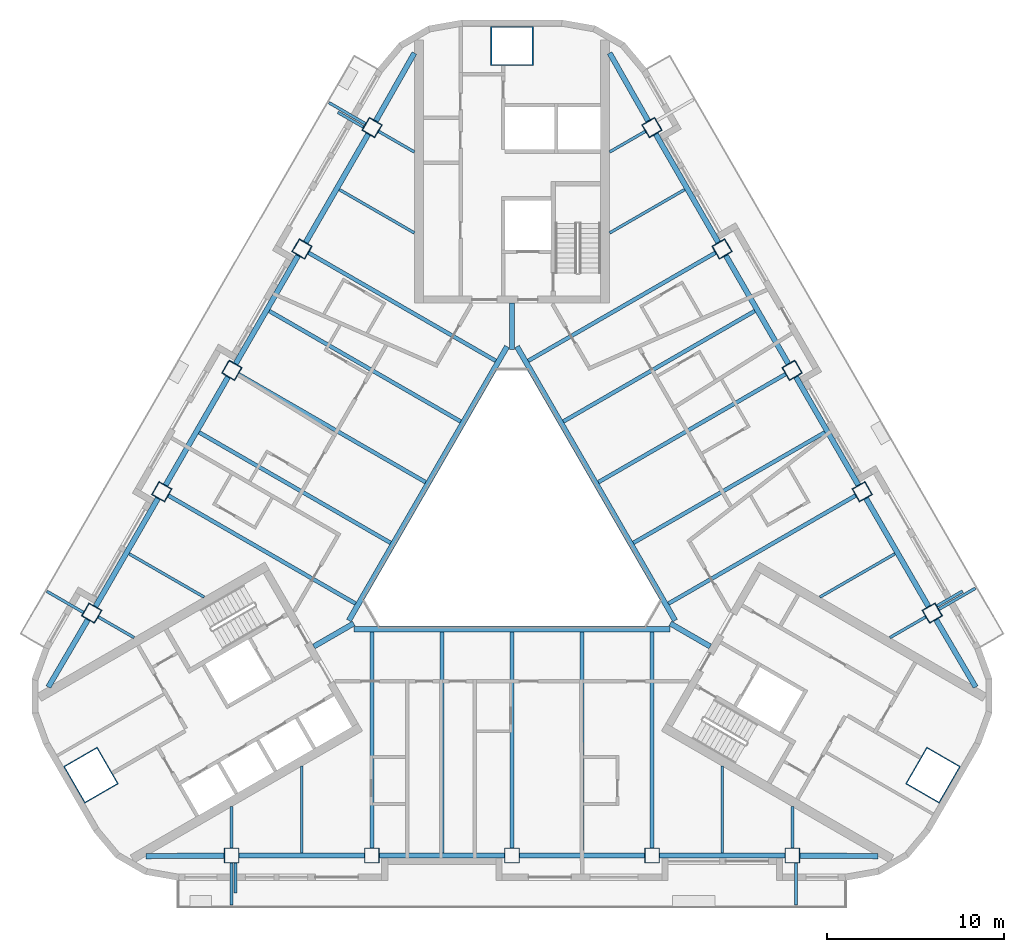
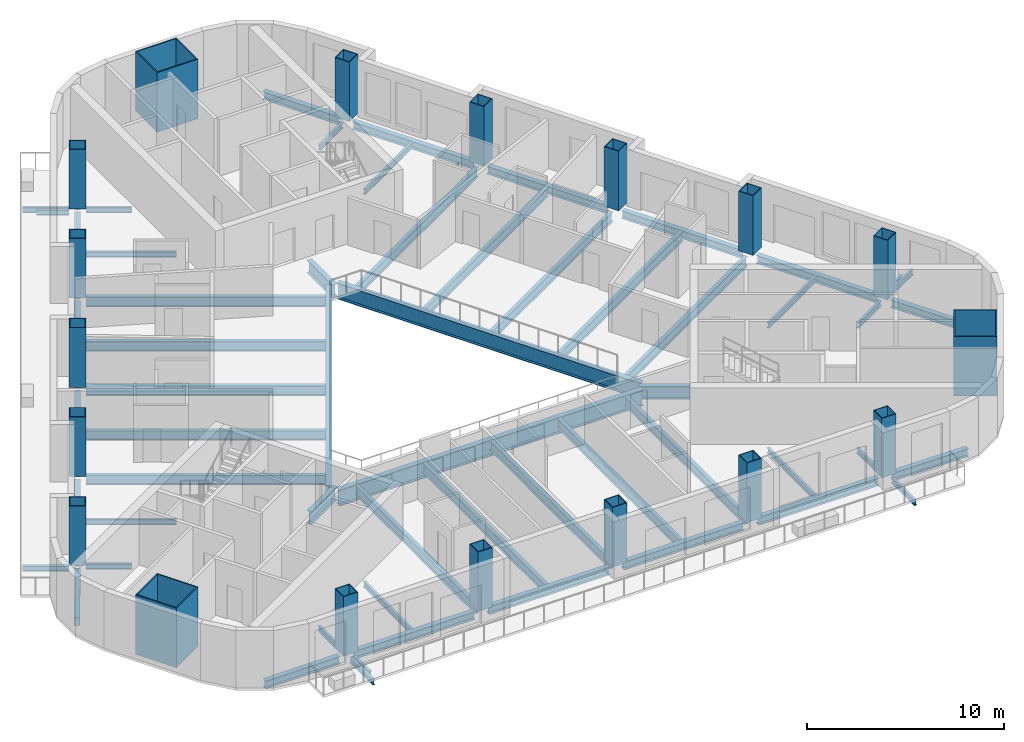
# One storey, part 1 of 14: 59 beams, 18 columns.
"""IFC4 building model written with IfcOpenShell, lengths in metres."""

from ifc_helpers import new_model, si_unit, direction, frame, origin, origin_2d, place, context, subcontext, project, spatial, rectangle, hollow_rectangle, i_section, extrude, material, material_profile, profile_set, type_object, element, save


model = new_model("IFC4")

# Units and contexts
model_context = context("Model", 3, precision=1e-05, world=origin(), true_north=direction((0.0, 1.0)))
body_context = subcontext(model_context, "Body", "Model", "MODEL_VIEW")
ifc_project = project(units=[si_unit("LENGTHUNIT", "METRE"), si_unit("AREAUNIT", "SQUARE_METRE"), si_unit("VOLUMEUNIT", "CUBIC_METRE"), si_unit("PLANEANGLEUNIT", "RADIAN"), si_unit("MASSUNIT", "GRAM", prefix="KILO")], contexts=[model_context])

# Site, building, storey
site_placement = place(None, origin())
site = spatial("IfcSite", under=ifc_project, at=site_placement, CompositionType="ELEMENT")
building_placement = place(site_placement, origin())
building = spatial("IfcBuilding", under=site, at=building_placement, Name="Apuvela Tower Hotel", CompositionType="ELEMENT")
storey_placement = place(building_placement, frame((0.0, 0.0, 179.89990234375)))
storey = spatial("IfcBuildingStorey", under=building, at=storey_placement, Name="L43", CompositionType="ELEMENT", Elevation=179.89990234375)

# Columns
ifc_material_1 = material(Name="Steel S460", Category="steel")
ifc_material_profile_1 = material_profile(ifc_material_1, hollow_rectangle(XDim=2.39990234375, YDim=2.199951171875, WallThickness=0.06005859375, at=origin_2d()), Name="BOX 2400x2200x60")
ifc_material_2 = material(Name="Concrete C80/95", Category="concrete")
ifc_material_profile_2 = material_profile(ifc_material_2, rectangle(XDim=2.280029296875, YDim=2.080078125, at=origin_2d()), Name="Concrete C80/95 infill")
ifc_profile_set_1 = profile_set([ifc_material_profile_1, ifc_material_profile_2], Name="Steel S460")
column_type_1 = type_object("IfcColumnType", Name="STR-MC mega column BOX 2400x2200x60", PredefinedType="COLUMN", material=ifc_profile_set_1)
for number, where, z_axis, x_axis, name in (
    (1, (0.0, 27.39990234375, 0.0), (0.0, 0.0, 1.0), (1.0, 0.0, 0.0), "Mega column MC3 N"),
    (2, (-23.72900390625, -13.699951171875, 0.0), (0.0, 0.0, 1.0), (-0.5, 0.866025403784, 0.0), "Mega column MC3 SW"),
    (3, (23.72900390625, -13.699951171875, 0.0), (0.0, 0.0, 1.0), (0.5, 0.866025403784, 0.0), "Mega column MC3 SE"),
):
    element("IfcColumn", number, at=place(storey_placement, frame(where, z_axis=z_axis, x_axis=x_axis)), inside=storey, type_object=column_type_1, Name=name, PredefinedType="COLUMN", context=body_context, shape_type="SweptSolid", body=[
        extrude(hollow_rectangle(XDim=2.39990234375, YDim=2.199951171875, WallThickness=0.06005859375, at=origin_2d()), origin(), (0.0, 0.0, 1.0), 3.7001953125),
    ])
ifc_material_profile_3 = material_profile(ifc_material_1, hollow_rectangle(XDim=0.85009765625, YDim=0.85009765625, WallThickness=0.0400390625, at=origin_2d()), Name="BOX 850x850x40")
ifc_material_profile_4 = material_profile(ifc_material_2, rectangle(XDim=0.77001953125, YDim=0.77001953125, at=origin_2d()), Name="Concrete C80/95 infill")
ifc_profile_set_2 = profile_set([ifc_material_profile_3, ifc_material_profile_4], Name="Steel S460")
column_type_2 = type_object("IfcColumnType", Name="STR-PC perimeter column BOX 850x850x40", PredefinedType="COLUMN", material=ifc_profile_set_2)
for number, where, z_axis, x_axis, name in (
    (4, (-15.800048828125, -18.22998046875, 0.0), (0.0, 0.0, 1.0), (-1.0, 0.0, 0.0), "Perimeter column C4 S1"),
    (5, (-7.89990234375, -18.22998046875, 0.0), (0.0, 0.0, 1.0), (-1.0, 0.0, 0.0), "Perimeter column C4 S2"),
    (6, (0.0, -18.22998046875, 0.0), (0.0, 0.0, 1.0), (-1.0, 0.0, 0.0), "Perimeter column C4 S3"),
    (7, (7.89990234375, -18.22998046875, 0.0), (0.0, 0.0, 1.0), (-1.0, 0.0, 0.0), "Perimeter column C4 S4"),
    (8, (15.800048828125, -18.22998046875, 0.0), (0.0, 0.0, 1.0), (-1.0, 0.0, 0.0), "Perimeter column C4 S5"),
    (9, (23.6875, -4.568115234375, 0.0), (0.0, 0.0, 1.0), (-0.5, 0.866025403784, 0.0), "Perimeter column C4 NE1"),
    (10, (19.737548828125, 2.2734375, 0.0), (0.0, 0.0, 1.0), (-0.5, 0.866025403784, 0.0), "Perimeter column C4 NE2"),
    (11, (15.78759765625, 9.114990234375, 0.0), (0.0, 0.0, 1.0), (-0.5, 0.866025403784, 0.0), "Perimeter column C4 NE3"),
    (12, (11.837646484375, 15.95654296875, 0.0), (0.0, 0.0, 1.0), (-0.5, 0.866025403784, 0.0), "Perimeter column C4 NE4"),
    (13, (7.8876953125, 22.798095703125, 0.0), (0.0, 0.0, 1.0), (-0.5, 0.866025403784, 0.0), "Perimeter column C4 NE5"),
    (14, (-7.8876953125, 22.798095703125, 0.0), (0.0, 0.0, 1.0), (0.5, 0.866025403784, 0.0), "Perimeter column C4 NW1"),
    (15, (-11.837646484375, 15.95654296875, 0.0), (0.0, 0.0, 1.0), (0.5, 0.866025403784, 0.0), "Perimeter column C4 NW2"),
    (16, (-15.78759765625, 9.114990234375, 0.0), (0.0, 0.0, 1.0), (0.5, 0.866025403784, 0.0), "Perimeter column C4 NW3"),
    (17, (-19.737548828125, 2.2734375, 0.0), (0.0, 0.0, 1.0), (0.5, 0.866025403784, 0.0), "Perimeter column C4 NW4"),
    (18, (-23.6875, -4.568115234375, 0.0), (0.0, 0.0, 1.0), (0.5, 0.866025403784, 0.0), "Perimeter column C4 NW5"),
):
    element("IfcColumn", number, at=place(storey_placement, frame(where, z_axis=z_axis, x_axis=x_axis)), inside=storey, type_object=column_type_2, Name=name, PredefinedType="COLUMN", context=body_context, shape_type="SweptSolid", body=[
        extrude(hollow_rectangle(XDim=0.85009765625, YDim=0.85009765625, WallThickness=0.0400390625, at=origin_2d()), origin(), (0.0, 0.0, 1.0), 3.7001953125),
    ])

# Beams
ifc_material_3 = material(Name="Steel S355", Category="steel")
ifc_material_profile_5 = material_profile(ifc_material_3, i_section(OverallWidth=0.159912109375, OverallDepth=0.330078125, WebThickness=0.007568359375, FlangeThickness=0.011474609375, at=origin_2d()), Name="IPE 330")
ifc_profile_set_3 = profile_set([ifc_material_profile_5], Name="Steel S355")
beam_type_1 = type_object("IfcBeamType", Name="ENV-BALCONY-BEAM-IPE330", PredefinedType="BEAM", material=ifc_profile_set_3)
beam_1_placement = place(storey_placement, frame((-15.800048828125, -18.655029296875, -0.31494140625), z_axis=(0.0, -1.0, 0.0), x_axis=(1.0, 0.0, 0.0)))
element("IfcBeam", 19, at=beam_1_placement, inside=storey, type_object=beam_type_1, Name="Balcony cantilever beam S1 L43", PredefinedType="BEAM", context=body_context, shape_type="SweptSolid", body=[
    extrude(i_section(OverallWidth=0.159912109375, OverallDepth=0.330078125, WebThickness=0.007568359375, FlangeThickness=0.011474609375, at=origin_2d()), origin(), (0.0, 0.0, 1.0), 2.375),
])
beam_2_placement = place(storey_placement, frame((-15.580078125, -18.655029296875, -0.31494140625), z_axis=(0.0, -1.0, 0.0), x_axis=(1.0, 0.0, 0.0)))
element("IfcBeam", 20, at=beam_2_placement, inside=storey, type_object=beam_type_1, Name="Balcony cantilever beam S2 L43", PredefinedType="BEAM", context=body_context, shape_type="SweptSolid", body=[
    extrude(i_section(OverallWidth=0.159912109375, OverallDepth=0.330078125, WebThickness=0.007568359375, FlangeThickness=0.011474609375, at=origin_2d()), origin(), (0.0, 0.0, 1.0), 1.675048828125),
])
for number, where, z_axis, x_axis, name in (
    (21, (16.0, -18.655029296875, -0.31494140625), (0.0, -1.0, 0.0), (1.0, 0.0, 0.0), "Balcony cantilever beam S3 L43"),
    (22, (24.0556640625, -4.355712890625, -0.31494140625), (0.866033238375, 0.499986429846, 0.0), (-0.499986429846, 0.866033238375, 0.0), "Balcony cantilever beam NE1 L43"),
):
    element("IfcBeam", number, at=place(storey_placement, frame(where, z_axis=z_axis, x_axis=x_axis)), inside=storey, type_object=beam_type_1, Name=name, PredefinedType="BEAM", context=body_context, shape_type="SweptSolid", body=[
        extrude(i_section(OverallWidth=0.159912109375, OverallDepth=0.330078125, WebThickness=0.007568359375, FlangeThickness=0.011474609375, at=origin_2d()), origin(), (0.0, 0.0, 1.0), 2.375),
    ])
beam_3_placement = place(storey_placement, frame((23.94580078125, -4.165283203125, -0.31494140625), z_axis=(0.865964676353, 0.500105168249, 0.0), x_axis=(-0.500105168249, 0.865964676353, 0.0)))
element("IfcBeam", 23, at=beam_3_placement, inside=storey, type_object=beam_type_1, Name="Balcony cantilever beam NE2 L43", PredefinedType="BEAM", context=body_context, shape_type="SweptSolid", body=[
    extrude(i_section(OverallWidth=0.159912109375, OverallDepth=0.330078125, WebThickness=0.007568359375, FlangeThickness=0.011474609375, at=origin_2d()), origin(), (0.0, 0.0, 1.0), 1.675048828125),
])
beam_4_placement = place(storey_placement, frame((-8.255615234375, 23.0107421875, -0.31494140625), z_axis=(-0.866033238375, 0.499986429846, 0.0), x_axis=(-0.499986429846, -0.866033238375, 0.0)))
element("IfcBeam", 24, at=beam_4_placement, inside=storey, type_object=beam_type_1, Name="Balcony cantilever beam NW1 L43", PredefinedType="BEAM", context=body_context, shape_type="SweptSolid", body=[
    extrude(i_section(OverallWidth=0.159912109375, OverallDepth=0.330078125, WebThickness=0.007568359375, FlangeThickness=0.011474609375, at=origin_2d()), origin(), (0.0, 0.0, 1.0), 2.375),
])
beam_5_placement = place(storey_placement, frame((-8.36572265625, 22.8203125, -0.31494140625), z_axis=(-0.866064234506, 0.499932737185, 0.0), x_axis=(-0.499932737185, -0.866064234506, 0.0)))
element("IfcBeam", 25, at=beam_5_placement, inside=storey, type_object=beam_type_1, Name="Balcony cantilever beam NW2 L43", PredefinedType="BEAM", context=body_context, shape_type="SweptSolid", body=[
    extrude(i_section(OverallWidth=0.159912109375, OverallDepth=0.330078125, WebThickness=0.007568359375, FlangeThickness=0.011474609375, at=origin_2d()), origin(), (0.0, 0.0, 1.0), 1.675048828125),
])
beam_6_placement = place(storey_placement, frame((-24.15576171875, -4.52880859375, -0.31494140625), z_axis=(-0.866007538022, 0.500030943131, 0.0), x_axis=(-0.500030943131, -0.866007538022, 0.0)))
element("IfcBeam", 26, at=beam_6_placement, inside=storey, type_object=beam_type_1, Name="Balcony cantilever beam NW3 L43", PredefinedType="BEAM", context=body_context, shape_type="SweptSolid", body=[
    extrude(i_section(OverallWidth=0.159912109375, OverallDepth=0.330078125, WebThickness=0.007568359375, FlangeThickness=0.011474609375, at=origin_2d()), origin(), (0.0, 0.0, 1.0), 2.374755859375),
])
ifc_material_profile_6 = material_profile(ifc_material_3, i_section(OverallWidth=0.159912109375, OverallDepth=0.330078125, WebThickness=0.007568359375, FlangeThickness=0.011474609375, at=origin_2d()), Name="IPE 330")
ifc_profile_set_4 = profile_set([ifc_material_profile_6], Name="Steel S355")
beam_type_2 = type_object("IfcBeamType", Name="STR-B floor beam IPE 330", PredefinedType="BEAM", material=ifc_profile_set_4)
beam_7_placement = place(storey_placement, frame((23.319580078125, -4.78076171875, -0.31494140625), z_axis=(-0.866018215049, -0.500012451049, 0.0), x_axis=(0.500012451049, -0.866018215049, 0.0)))
element("IfcBeam", 27, at=beam_7_placement, inside=storey, type_object=beam_type_2, Name="Floor beam B1 NE1", PredefinedType="BEAM", context=body_context, shape_type="SweptSolid", body=[
    extrude(i_section(OverallWidth=0.159912109375, OverallDepth=0.330078125, WebThickness=0.007568359375, FlangeThickness=0.011474609375, at=origin_2d()), origin(), (0.0, 0.0, 1.0), 2.33203125),
])
for number, where, z_axis, x_axis, name in (
    (28, (21.582763671875, -1.222412109375, -0.31494140625), (-0.866015056278, -0.500017921979, 0.0), (0.500017921979, -0.866015056278, 0.0), "Floor beam B1 NE2"),
    (29, (9.732666015625, 19.302490234375, -0.31494140625), (-0.866015056278, -0.500017921979, 0.0), (0.500017921979, -0.866015056278, 0.0), "Floor beam B1 NE8"),
):
    element("IfcBeam", number, at=place(storey_placement, frame(where, z_axis=z_axis, x_axis=x_axis)), inside=storey, type_object=beam_type_2, Name=name, PredefinedType="BEAM", context=body_context, shape_type="SweptSolid", body=[
        extrude(i_section(OverallWidth=0.159912109375, OverallDepth=0.330078125, WebThickness=0.007568359375, FlangeThickness=0.011474609375, at=origin_2d()), origin(), (0.0, 0.0, 1.0), 4.887451171875),
    ])
for number, where, z_axis, x_axis, name in (
    (30, (7.51953125, 22.585693359375, -0.31494140625), (-0.866018215049, -0.500012451049, 0.0), (0.500012451049, -0.866018215049, 0.0), "Floor beam B1 NE9"),
    (31, (-7.51953125, 22.585693359375, -0.31494140625), (0.866018215049, -0.500012451049, 0.0), (0.500012451049, 0.866018215049, 0.0), "Floor beam B1 NW1"),
):
    element("IfcBeam", number, at=place(storey_placement, frame(where, z_axis=z_axis, x_axis=x_axis)), inside=storey, type_object=beam_type_2, Name=name, PredefinedType="BEAM", context=body_context, shape_type="SweptSolid", body=[
        extrude(i_section(OverallWidth=0.159912109375, OverallDepth=0.330078125, WebThickness=0.007568359375, FlangeThickness=0.011474609375, at=origin_2d()), origin(), (0.0, 0.0, 1.0), 2.33203125),
    ])
for number, where, z_axis, x_axis, name in (
    (32, (-9.732666015625, 19.302490234375, -0.31494140625), (0.866015056278, -0.500017921979, 0.0), (0.500017921979, 0.866015056278, 0.0), "Floor beam B1 NW2"),
    (33, (-21.582763671875, -1.222412109375, -0.31494140625), (0.866015056278, -0.500017921979, 0.0), (0.500017921979, 0.866015056278, 0.0), "Floor beam B1 NW8"),
):
    element("IfcBeam", number, at=place(storey_placement, frame(where, z_axis=z_axis, x_axis=x_axis)), inside=storey, type_object=beam_type_2, Name=name, PredefinedType="BEAM", context=body_context, shape_type="SweptSolid", body=[
        extrude(i_section(OverallWidth=0.159912109375, OverallDepth=0.330078125, WebThickness=0.007568359375, FlangeThickness=0.011474609375, at=origin_2d()), origin(), (0.0, 0.0, 1.0), 4.887451171875),
    ])
for number, where, z_axis, x_axis, name in (
    (34, (-23.319580078125, -4.78076171875, -0.31494140625), (0.866018215049, -0.500012451049, 0.0), (0.500012451049, 0.866018215049, 0.0), "Floor beam B1 NW9"),
    (35, (-15.800048828125, -17.804931640625, -0.31494140625), (0.0, 1.0, 0.0), (-1.0, 0.0, 0.0), "Floor beam B1 S1"),
):
    element("IfcBeam", number, at=place(storey_placement, frame(where, z_axis=z_axis, x_axis=x_axis)), inside=storey, type_object=beam_type_2, Name=name, PredefinedType="BEAM", context=body_context, shape_type="SweptSolid", body=[
        extrude(i_section(OverallWidth=0.159912109375, OverallDepth=0.330078125, WebThickness=0.007568359375, FlangeThickness=0.011474609375, at=origin_2d()), origin(), (0.0, 0.0, 1.0), 2.33203125),
    ])
for number, where, z_axis, x_axis, name in (
    (36, (-11.85009765625, -18.080078125, -0.31494140625), (0.0, 1.0, 0.0), (-1.0, 0.0, 0.0), "Floor beam B1 S2"),
    (37, (11.85009765625, -18.080078125, -0.31494140625), (0.0, 1.0, 0.0), (-1.0, 0.0, 0.0), "Floor beam B1 S8"),
):
    element("IfcBeam", number, at=place(storey_placement, frame(where, z_axis=z_axis, x_axis=x_axis)), inside=storey, type_object=beam_type_2, Name=name, PredefinedType="BEAM", context=body_context, shape_type="SweptSolid", body=[
        extrude(i_section(OverallWidth=0.159912109375, OverallDepth=0.330078125, WebThickness=0.007568359375, FlangeThickness=0.011474609375, at=origin_2d()), origin(), (0.0, 0.0, 1.0), 4.8876953125),
    ])
beam_8_placement = place(storey_placement, frame((15.800048828125, -17.804931640625, -0.31494140625), z_axis=(0.0, 1.0, 0.0), x_axis=(-1.0, 0.0, 0.0)))
element("IfcBeam", 38, at=beam_8_placement, inside=storey, type_object=beam_type_2, Name="Floor beam B1 S9", PredefinedType="BEAM", context=body_context, shape_type="SweptSolid", body=[
    extrude(i_section(OverallWidth=0.159912109375, OverallDepth=0.330078125, WebThickness=0.007568359375, FlangeThickness=0.011474609375, at=origin_2d()), origin(), (0.0, 0.0, 1.0), 2.33203125),
])
ifc_material_profile_7 = material_profile(ifc_material_3, i_section(OverallWidth=0.219970703125, OverallDepth=0.60009765625, WebThickness=0.011962890625, FlangeThickness=0.01904296875, at=origin_2d()), Name="IPE 600")
ifc_profile_set_5 = profile_set([ifc_material_profile_7], Name="Steel S355")
beam_type_3 = type_object("IfcBeamType", Name="STR-B floor beam IPE 600", PredefinedType="BEAM", material=ifc_profile_set_5)
beam_9_placement = place(storey_placement, frame((19.36962890625, 2.060791015625, -0.449951171875), z_axis=(-0.866032437209, -0.499987817553, 0.0), x_axis=(0.499987817553, -0.866032437209, 0.0)))
element("IfcBeam", 39, at=beam_9_placement, inside=storey, type_object=beam_type_3, Name="Floor beam B8 NE3", PredefinedType="BEAM", context=body_context, shape_type="SweptSolid", body=[
    extrude(i_section(OverallWidth=0.219970703125, OverallDepth=0.60009765625, WebThickness=0.011962890625, FlangeThickness=0.01904296875, at=origin_2d()), origin(), (0.0, 0.0, 1.0), 12.184814453125),
])
beam_10_placement = place(storey_placement, frame((17.6328125, 5.619140625, -0.449951171875), z_axis=(-0.866027987673, -0.499995524547, 0.0), x_axis=(0.499995524547, -0.866027987673, 0.0)))
element("IfcBeam", 40, at=beam_10_placement, inside=storey, type_object=beam_type_3, Name="Floor beam B8 NE4", PredefinedType="BEAM", context=body_context, shape_type="SweptSolid", body=[
    extrude(i_section(OverallWidth=0.219970703125, OverallDepth=0.60009765625, WebThickness=0.011962890625, FlangeThickness=0.01904296875, at=origin_2d()), origin(), (0.0, 0.0, 1.0), 12.4599609375),
])
beam_11_placement = place(storey_placement, frame((15.419677734375, 8.902587890625, -0.449951171875), z_axis=(-0.8660237613, -0.500002844856, 0.0), x_axis=(0.500002844856, -0.8660237613, 0.0)))
element("IfcBeam", 41, at=beam_11_placement, inside=storey, type_object=beam_type_3, Name="Floor beam B8 NE5", PredefinedType="BEAM", context=body_context, shape_type="SweptSolid", body=[
    extrude(i_section(OverallWidth=0.219970703125, OverallDepth=0.60009765625, WebThickness=0.011962890625, FlangeThickness=0.01904296875, at=origin_2d()), origin(), (0.0, 0.0, 1.0), 12.18505859375),
])
beam_12_placement = place(storey_placement, frame((13.6826171875, 12.460693359375, -0.449951171875), z_axis=(-0.866023089177, -0.500004008996, 0.0), x_axis=(0.500004008996, -0.866023089177, 0.0)))
element("IfcBeam", 42, at=beam_12_placement, inside=storey, type_object=beam_type_3, Name="Floor beam B8 NE6", PredefinedType="BEAM", context=body_context, shape_type="SweptSolid", body=[
    extrude(i_section(OverallWidth=0.219970703125, OverallDepth=0.60009765625, WebThickness=0.011962890625, FlangeThickness=0.01904296875, at=origin_2d()), origin(), (0.0, 0.0, 1.0), 12.4599609375),
])
for number, where, z_axis, x_axis, name in (
    (43, (11.469482421875, 15.744140625, -0.449951171875), (-0.8660237613, -0.500002844856, 0.0), (0.500002844856, -0.8660237613, 0.0), "Floor beam B8 NE7"),
    (44, (-11.469482421875, 15.744140625, -0.449951171875), (0.8660237613, -0.500002844856, 0.0), (0.500002844856, 0.8660237613, 0.0), "Floor beam B8 NW3"),
):
    element("IfcBeam", number, at=place(storey_placement, frame(where, z_axis=z_axis, x_axis=x_axis)), inside=storey, type_object=beam_type_3, Name=name, PredefinedType="BEAM", context=body_context, shape_type="SweptSolid", body=[
        extrude(i_section(OverallWidth=0.219970703125, OverallDepth=0.60009765625, WebThickness=0.011962890625, FlangeThickness=0.01904296875, at=origin_2d()), origin(), (0.0, 0.0, 1.0), 12.18505859375),
    ])
beam_13_placement = place(storey_placement, frame((-13.6826171875, 12.460693359375, -0.449951171875), z_axis=(0.866023089177, -0.500004008996, 0.0), x_axis=(0.500004008996, 0.866023089177, 0.0)))
element("IfcBeam", 45, at=beam_13_placement, inside=storey, type_object=beam_type_3, Name="Floor beam B8 NW4", PredefinedType="BEAM", context=body_context, shape_type="SweptSolid", body=[
    extrude(i_section(OverallWidth=0.219970703125, OverallDepth=0.60009765625, WebThickness=0.011962890625, FlangeThickness=0.01904296875, at=origin_2d()), origin(), (0.0, 0.0, 1.0), 12.4599609375),
])
beam_14_placement = place(storey_placement, frame((-15.419677734375, 8.902587890625, -0.449951171875), z_axis=(0.8660237613, -0.500002844856, 0.0), x_axis=(0.500002844856, 0.8660237613, 0.0)))
element("IfcBeam", 46, at=beam_14_placement, inside=storey, type_object=beam_type_3, Name="Floor beam B8 NW5", PredefinedType="BEAM", context=body_context, shape_type="SweptSolid", body=[
    extrude(i_section(OverallWidth=0.219970703125, OverallDepth=0.60009765625, WebThickness=0.011962890625, FlangeThickness=0.01904296875, at=origin_2d()), origin(), (0.0, 0.0, 1.0), 12.18505859375),
])
beam_15_placement = place(storey_placement, frame((-17.6328125, 5.619140625, -0.449951171875), z_axis=(0.866027987673, -0.499995524547, 0.0), x_axis=(0.499995524547, 0.866027987673, 0.0)))
element("IfcBeam", 47, at=beam_15_placement, inside=storey, type_object=beam_type_3, Name="Floor beam B8 NW6", PredefinedType="BEAM", context=body_context, shape_type="SweptSolid", body=[
    extrude(i_section(OverallWidth=0.219970703125, OverallDepth=0.60009765625, WebThickness=0.011962890625, FlangeThickness=0.01904296875, at=origin_2d()), origin(), (0.0, 0.0, 1.0), 12.4599609375),
])
for number, where, z_axis, x_axis, name in (
    (48, (-19.36962890625, 2.060791015625, -0.449951171875), (0.866032437209, -0.499987817553, 0.0), (0.499987817553, 0.866032437209, 0.0), "Floor beam B8 NW7"),
    (49, (-7.89990234375, -17.804931640625, -0.449951171875), (0.0, 1.0, 0.0), (-1.0, 0.0, 0.0), "Floor beam B8 S3"),
):
    element("IfcBeam", number, at=place(storey_placement, frame(where, z_axis=z_axis, x_axis=x_axis)), inside=storey, type_object=beam_type_3, Name=name, PredefinedType="BEAM", context=body_context, shape_type="SweptSolid", body=[
        extrude(i_section(OverallWidth=0.219970703125, OverallDepth=0.60009765625, WebThickness=0.011962890625, FlangeThickness=0.01904296875, at=origin_2d()), origin(), (0.0, 0.0, 1.0), 12.184814453125),
    ])
beam_16_placement = place(storey_placement, frame((-3.949951171875, -18.080078125, -0.449951171875), z_axis=(0.0, 1.0, 0.0), x_axis=(-1.0, 0.0, 0.0)))
element("IfcBeam", 50, at=beam_16_placement, inside=storey, type_object=beam_type_3, Name="Floor beam B8 S4", PredefinedType="BEAM", context=body_context, shape_type="SweptSolid", body=[
    extrude(i_section(OverallWidth=0.219970703125, OverallDepth=0.60009765625, WebThickness=0.011962890625, FlangeThickness=0.01904296875, at=origin_2d()), origin(), (0.0, 0.0, 1.0), 12.4599609375),
])
beam_17_placement = place(storey_placement, frame((0.0, -17.804931640625, -0.449951171875), z_axis=(0.0, 1.0, 0.0), x_axis=(-1.0, 0.0, 0.0)))
element("IfcBeam", 51, at=beam_17_placement, inside=storey, type_object=beam_type_3, Name="Floor beam B8 S5", PredefinedType="BEAM", context=body_context, shape_type="SweptSolid", body=[
    extrude(i_section(OverallWidth=0.219970703125, OverallDepth=0.60009765625, WebThickness=0.011962890625, FlangeThickness=0.01904296875, at=origin_2d()), origin(), (0.0, 0.0, 1.0), 12.184814453125),
])
beam_18_placement = place(storey_placement, frame((3.949951171875, -18.080078125, -0.449951171875), z_axis=(0.0, 1.0, 0.0), x_axis=(-1.0, 0.0, 0.0)))
element("IfcBeam", 52, at=beam_18_placement, inside=storey, type_object=beam_type_3, Name="Floor beam B8 S6", PredefinedType="BEAM", context=body_context, shape_type="SweptSolid", body=[
    extrude(i_section(OverallWidth=0.219970703125, OverallDepth=0.60009765625, WebThickness=0.011962890625, FlangeThickness=0.01904296875, at=origin_2d()), origin(), (0.0, 0.0, 1.0), 12.4599609375),
])
beam_19_placement = place(storey_placement, frame((7.89990234375, -17.804931640625, -0.449951171875), z_axis=(0.0, 1.0, 0.0), x_axis=(-1.0, 0.0, 0.0)))
element("IfcBeam", 53, at=beam_19_placement, inside=storey, type_object=beam_type_3, Name="Floor beam B8 S7", PredefinedType="BEAM", context=body_context, shape_type="SweptSolid", body=[
    extrude(i_section(OverallWidth=0.219970703125, OverallDepth=0.60009765625, WebThickness=0.011962890625, FlangeThickness=0.01904296875, at=origin_2d()), origin(), (0.0, 0.0, 1.0), 12.184814453125),
])
ifc_material_profile_8 = material_profile(ifc_material_3, i_section(OverallWidth=0.300048828125, OverallDepth=1.0, WebThickness=0.01904296875, FlangeThickness=0.035888671875, at=origin_2d()), Name="HE 1000 B")
ifc_profile_set_6 = profile_set([ifc_material_profile_8], Name="Steel S355")
beam_type_4 = type_object("IfcBeamType", Name="STR-G atrium ring girder HE 1000 B", PredefinedType="BEAM", material=ifc_profile_set_6)
beam_20_placement = place(storey_placement, frame((-0.27978515625, 10.455078125, -0.64990234375), z_axis=(-0.500006541319, -0.866021627119, 0.0), x_axis=(0.866021627119, -0.500006541319, 0.0)))
element("IfcBeam", 54, at=beam_20_placement, inside=storey, type_object=beam_type_4, Name="Atrium ring girder G2 N-SW", PredefinedType="BEAM", context=body_context, shape_type="SweptSolid", body=[
    extrude(i_section(OverallWidth=0.300048828125, OverallDepth=1.0, WebThickness=0.01904296875, FlangeThickness=0.035888671875, at=origin_2d()), origin(), (0.0, 0.0, 1.0), 17.828857421875),
])
beam_21_placement = place(storey_placement, frame((-8.91455078125, -5.469970703125, -0.64990234375), z_axis=(1.0, 0.0, 0.0), x_axis=(0.0, 1.0, 0.0)))
element("IfcBeam", 55, at=beam_21_placement, inside=storey, type_object=beam_type_4, Name="Atrium ring girder G2 SW-SE", PredefinedType="BEAM", context=body_context, shape_type="SweptSolid", body=[
    extrude(i_section(OverallWidth=0.300048828125, OverallDepth=1.0, WebThickness=0.01904296875, FlangeThickness=0.035888671875, at=origin_2d()), origin(), (0.0, 0.0, 1.0), 17.8291015625),
])
beam_22_placement = place(storey_placement, frame((9.1943359375, -4.985107421875, -0.64990234375), z_axis=(-0.500006541319, 0.866021627119, 0.0), x_axis=(-0.866021627119, -0.500006541319, 0.0)))
element("IfcBeam", 56, at=beam_22_placement, inside=storey, type_object=beam_type_4, Name="Atrium ring girder G2 SE-N", PredefinedType="BEAM", context=body_context, shape_type="SweptSolid", body=[
    extrude(i_section(OverallWidth=0.300048828125, OverallDepth=1.0, WebThickness=0.01904296875, FlangeThickness=0.035888671875, at=origin_2d()), origin(), (0.0, 0.0, 1.0), 17.828857421875),
])
ifc_material_profile_9 = material_profile(ifc_material_3, i_section(OverallWidth=0.300048828125, OverallDepth=0.800048828125, WebThickness=0.017578125, FlangeThickness=0.032958984375, at=origin_2d()), Name="HE 800 B")
ifc_profile_set_7 = profile_set([ifc_material_profile_9], Name="Steel S355")
beam_type_5 = type_object("IfcBeamType", Name="STR-GT core tie beam HE 800 B", PredefinedType="BEAM", material=ifc_profile_set_7)
for number, where, z_axis, x_axis, name in (
    (57, (0.0, 12.89990234375, -0.5498046875), (0.0, -1.0, 0.0), (1.0, 0.0, 0.0), "Core tie beam GT1 N"),
    (58, (-11.171630859375, -6.449951171875, -0.5498046875), (0.865997922154, 0.500047596559, 0.0), (-0.500047596559, 0.865997922154, 0.0), "Core tie beam GT1 SW"),
    (59, (11.171630859375, -6.449951171875, -0.5498046875), (-0.865997922154, 0.500047596559, 0.0), (-0.500047596559, -0.865997922154, 0.0), "Core tie beam GT1 SE"),
):
    element("IfcBeam", number, at=place(storey_placement, frame(where, z_axis=z_axis, x_axis=x_axis)), inside=storey, type_object=beam_type_5, Name=name, PredefinedType="BEAM", context=body_context, shape_type="SweptSolid", body=[
        extrude(i_section(OverallWidth=0.300048828125, OverallDepth=0.800048828125, WebThickness=0.017578125, FlangeThickness=0.032958984375, at=origin_2d()), origin(), (0.0, 0.0, 1.0), 2.599853515625),
    ])
ifc_material_profile_10 = material_profile(ifc_material_3, i_section(OverallWidth=0.300048828125, OverallDepth=0.489990234375, WebThickness=0.011962890625, FlangeThickness=0.02294921875, at=origin_2d()), Name="HE 500 A")
ifc_profile_set_8 = profile_set([ifc_material_profile_10], Name="Steel S355")
beam_type_6 = type_object("IfcBeamType", Name="STR-SB spandrel beam HE 500 A", PredefinedType="SPANDREL", material=ifc_profile_set_8)
for number, where, z_axis, x_axis, name in (
    (60, (-15.375, -18.22998046875, -0.39501953125), (1.0, 0.0, 0.0), (0.0, 1.0, 0.0), "Spandrel beam SB3 S1"),
    (61, (-7.47509765625, -18.22998046875, -0.39501953125), (1.0, 0.0, 0.0), (0.0, 1.0, 0.0), "Spandrel beam SB3 S2"),
    (62, (0.425048828125, -18.22998046875, -0.39501953125), (1.0, 0.0, 0.0), (0.0, 1.0, 0.0), "Spandrel beam SB3 S3"),
    (63, (8.324951171875, -18.22998046875, -0.39501953125), (1.0, 0.0, 0.0), (0.0, 1.0, 0.0), "Spandrel beam SB3 S4"),
    (64, (23.47509765625, -4.2001953125, -0.39501953125), (-0.499990246421, 0.866031034943, 0.0), (-0.866031034943, -0.499990246421, 0.0), "Spandrel beam SB3 NE1"),
):
    element("IfcBeam", number, at=place(storey_placement, frame(where, z_axis=z_axis, x_axis=x_axis)), inside=storey, type_object=beam_type_6, Name=name, PredefinedType="SPANDREL", context=body_context, shape_type="SweptSolid", body=[
        extrude(i_section(OverallWidth=0.300048828125, OverallDepth=0.489990234375, WebThickness=0.011962890625, FlangeThickness=0.02294921875, at=origin_2d()), origin(), (0.0, 0.0, 1.0), 7.050048828125),
    ])
for number, where, z_axis, x_axis, name in (
    (65, (19.525146484375, 2.6416015625, -0.39501953125), (-0.500031214443, 0.866007381368, 0.0), (-0.866007381368, -0.500031214443, 0.0), "Spandrel beam SB3 NE2"),
    (66, (15.5751953125, 9.483154296875, -0.39501953125), (-0.500031214443, 0.866007381368, 0.0), (-0.866007381368, -0.500031214443, 0.0), "Spandrel beam SB3 NE3"),
):
    element("IfcBeam", number, at=place(storey_placement, frame(where, z_axis=z_axis, x_axis=x_axis)), inside=storey, type_object=beam_type_6, Name=name, PredefinedType="SPANDREL", context=body_context, shape_type="SweptSolid", body=[
        extrude(i_section(OverallWidth=0.300048828125, OverallDepth=0.489990234375, WebThickness=0.011962890625, FlangeThickness=0.02294921875, at=origin_2d()), origin(), (0.0, 0.0, 1.0), 7.0498046875),
    ])
for number, where, z_axis, x_axis, name in (
    (67, (11.625, 16.32470703125, -0.39501953125), (-0.499990246421, 0.866031034943, 0.0), (-0.866031034943, -0.499990246421, 0.0), "Spandrel beam SB3 NE4"),
    (68, (-8.10009765625, 22.43017578125, -0.39501953125), (-0.499990246421, -0.866031034943, 0.0), (0.866031034943, -0.499990246421, 0.0), "Spandrel beam SB3 NW1"),
):
    element("IfcBeam", number, at=place(storey_placement, frame(where, z_axis=z_axis, x_axis=x_axis)), inside=storey, type_object=beam_type_6, Name=name, PredefinedType="SPANDREL", context=body_context, shape_type="SweptSolid", body=[
        extrude(i_section(OverallWidth=0.300048828125, OverallDepth=0.489990234375, WebThickness=0.011962890625, FlangeThickness=0.02294921875, at=origin_2d()), origin(), (0.0, 0.0, 1.0), 7.050048828125),
    ])
for number, where, z_axis, x_axis, name in (
    (69, (-12.050048828125, 15.58837890625, -0.39501953125), (-0.500031214443, -0.866007381368, 0.0), (0.866007381368, -0.500031214443, 0.0), "Spandrel beam SB3 NW2"),
    (70, (-16.0, 8.746826171875, -0.39501953125), (-0.500031214443, -0.866007381368, 0.0), (0.866007381368, -0.500031214443, 0.0), "Spandrel beam SB3 NW3"),
):
    element("IfcBeam", number, at=place(storey_placement, frame(where, z_axis=z_axis, x_axis=x_axis)), inside=storey, type_object=beam_type_6, Name=name, PredefinedType="SPANDREL", context=body_context, shape_type="SweptSolid", body=[
        extrude(i_section(OverallWidth=0.300048828125, OverallDepth=0.489990234375, WebThickness=0.011962890625, FlangeThickness=0.02294921875, at=origin_2d()), origin(), (0.0, 0.0, 1.0), 7.0498046875),
    ])
beam_23_placement = place(storey_placement, frame((-19.9501953125, 1.9052734375, -0.39501953125), z_axis=(-0.499990246421, -0.866031034943, 0.0), x_axis=(0.866031034943, -0.499990246421, 0.0)))
element("IfcBeam", 71, at=beam_23_placement, inside=storey, type_object=beam_type_6, Name="Spandrel beam SB3 NW4", PredefinedType="SPANDREL", context=body_context, shape_type="SweptSolid", body=[
    extrude(i_section(OverallWidth=0.300048828125, OverallDepth=0.489990234375, WebThickness=0.011962890625, FlangeThickness=0.02294921875, at=origin_2d()), origin(), (0.0, 0.0, 1.0), 7.050048828125),
])
for number, where, z_axis, x_axis, name in (
    (72, (-16.22509765625, -18.23291015625, -0.39501953125), (-0.999976414172, -0.006868122043, 0.0), (0.006868122043, -0.999976414172, 0.0), "Spandrel beam SB3 S1-SW"),
    (73, (16.22509765625, -18.23291015625, -0.39501953125), (0.999976414172, -0.006868122043, 0.0), (0.006868122043, 0.999976414172, 0.0), "Spandrel beam SB3 S5-SE"),
):
    element("IfcBeam", number, at=place(storey_placement, frame(where, z_axis=z_axis, x_axis=x_axis)), inside=storey, type_object=beam_type_6, Name=name, PredefinedType="SPANDREL", context=body_context, shape_type="SweptSolid", body=[
        extrude(i_section(OverallWidth=0.300048828125, OverallDepth=0.489990234375, WebThickness=0.011962890625, FlangeThickness=0.02294921875, at=origin_2d()), origin(), (0.0, 0.0, 1.0), 4.40771484375),
    ])
beam_24_placement = place(storey_placement, frame((23.902587890625, -4.934814453125, -0.39501953125), z_axis=(0.505966812052, -0.86255294626, 0.0), x_axis=(0.86255294626, 0.505966812052, 0.0)))
element("IfcBeam", 74, at=beam_24_placement, inside=storey, type_object=beam_type_6, Name="Spandrel beam SB3 NE1-SE", PredefinedType="SPANDREL", context=body_context, shape_type="SweptSolid", body=[
    extrude(i_section(OverallWidth=0.300048828125, OverallDepth=0.489990234375, WebThickness=0.011962890625, FlangeThickness=0.02294921875, at=origin_2d()), origin(), (0.0, 0.0, 1.0), 4.407958984375),
])
for number, where, z_axis, x_axis, name in (
    (75, (7.677734375, 23.167724609375, -0.39501953125), (-0.494061745322, 0.869426817972, 0.0), (-0.869426817972, -0.494061745322, 0.0), "Spandrel beam SB3 NE5-N"),
    (76, (-7.677734375, 23.167724609375, -0.39501953125), (0.494061745322, 0.869426817972, 0.0), (-0.869426817972, 0.494061745322, 0.0), "Spandrel beam SB3 NW1-N"),
):
    element("IfcBeam", number, at=place(storey_placement, frame(where, z_axis=z_axis, x_axis=x_axis)), inside=storey, type_object=beam_type_6, Name=name, PredefinedType="SPANDREL", context=body_context, shape_type="SweptSolid", body=[
        extrude(i_section(OverallWidth=0.300048828125, OverallDepth=0.489990234375, WebThickness=0.011962890625, FlangeThickness=0.02294921875, at=origin_2d()), origin(), (0.0, 0.0, 1.0), 4.40771484375),
    ])
beam_25_placement = place(storey_placement, frame((-23.902587890625, -4.934814453125, -0.39501953125), z_axis=(-0.505966812052, -0.86255294626, 0.0), x_axis=(0.86255294626, -0.505966812052, 0.0)))
element("IfcBeam", 77, at=beam_25_placement, inside=storey, type_object=beam_type_6, Name="Spandrel beam SB3 NW5-SW", PredefinedType="SPANDREL", context=body_context, shape_type="SweptSolid", body=[
    extrude(i_section(OverallWidth=0.300048828125, OverallDepth=0.489990234375, WebThickness=0.011962890625, FlangeThickness=0.02294921875, at=origin_2d()), origin(), (0.0, 0.0, 1.0), 4.407958984375),
])

save(model, "model.ifc")
